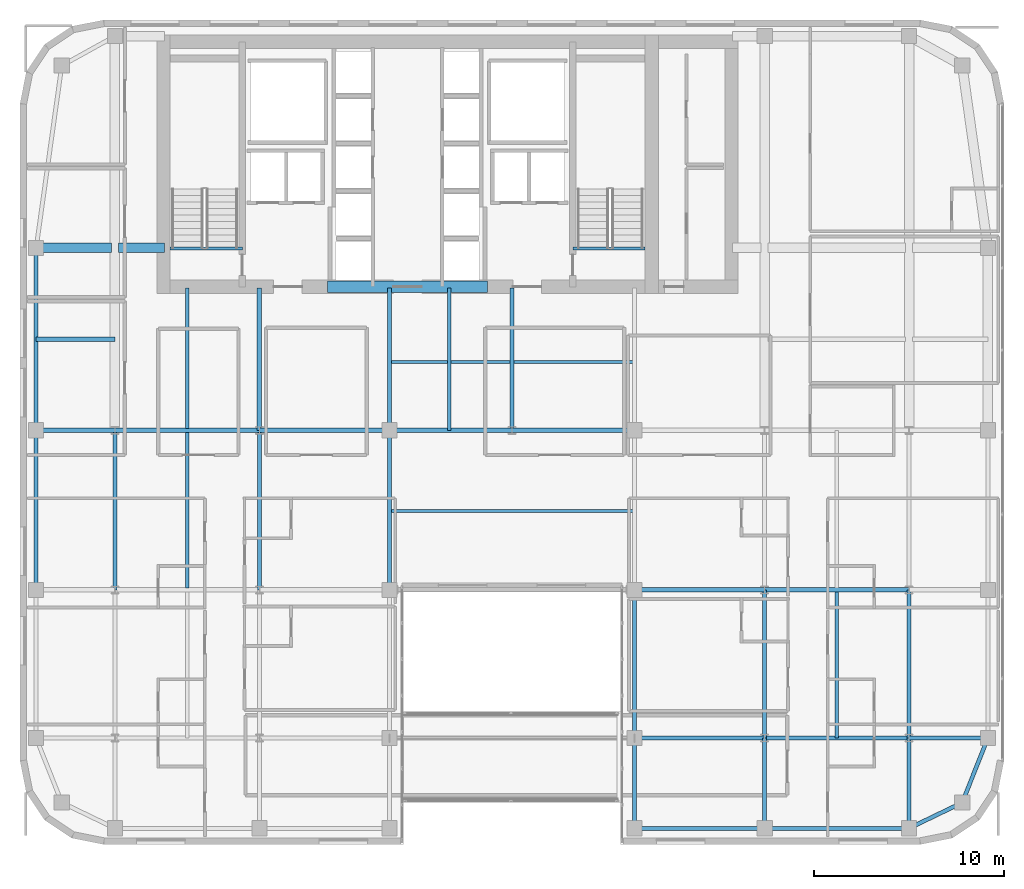
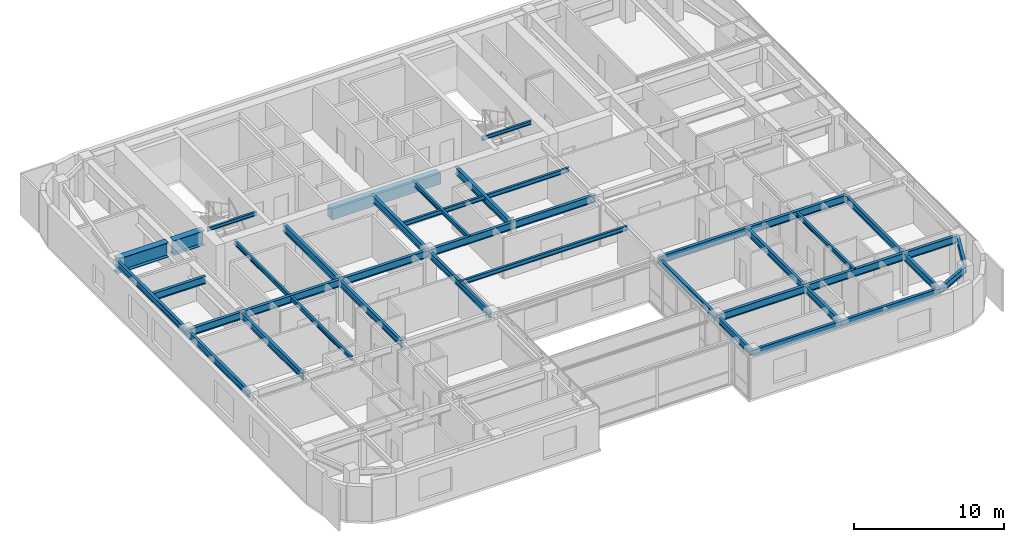
# One storey, part 5 of 20: 40 beams.
"""IFC4 building model written with IfcOpenShell, lengths in metres."""

import ifcopenshell
import ifcopenshell.guid

model = None  # the IFC model being written
_history = None  # IfcOwnerHistory: only IFC2X3 demands one
_inside = {}  # id of a spatial element -> (the spatial element, [elements in it])
_under = {}  # id of a project, library or spatial element -> (it, [spatial elements below it])
_declared = {}  # id of a project -> (the project, [libraries it declares])
_typed = {}  # id of a type object -> (the type object, [elements of that type])
_made_of = {}  # id of a material, layer set ... -> (it, [elements and type objects made of it])


def new_model(schema):
    """Start an empty IFC model of exactly this schema.

    Asked for "IFC4X3", IfcOpenShell would pick the latest addendum, in which some entities
    have other attributes; the version numbers below select the first issue.
    IFC2X3 requires an IfcOwnerHistory on every rooted entity: one is made here for all.
    """
    global model, _history
    if schema == "IFC4X3":
        model = ifcopenshell.file(schema_version=(4, 3, 0, 0))
    else:
        model = ifcopenshell.file(schema=schema)
    _inside.clear()
    _under.clear()
    _declared.clear()
    _typed.clear()
    _made_of.clear()
    _history = None
    if model.schema == "IFC2X3":
        org = make("IfcOrganization", Name="unknown")
        user = make(
            "IfcPersonAndOrganization",
            ThePerson=make("IfcPerson", FamilyName="unknown"),
            TheOrganization=org,
        )
        app = make(
            "IfcApplication",
            ApplicationDeveloper=org,
            Version="unknown",
            ApplicationFullName="unknown",
            ApplicationIdentifier="unknown",
        )
        _history = make(
            "IfcOwnerHistory",
            OwningUser=user,
            OwningApplication=app,
            ChangeAction="ADDED",
            CreationDate=0,
        )
    return model


def make(cls, **values):
    """One entity of the class cls with the attributes given. An attribute that is None is left unset."""
    return model.create_entity(
        cls, **{name: value for name, value in values.items() if value is not None}
    )


def rooted(cls, **values):
    """An entity with a GlobalId (a new one), such as an element, a storey or a relation."""
    return make(cls, GlobalId=ifcopenshell.guid.new(), OwnerHistory=_history, **values)


def si_unit(unit_type, name, prefix=None):
    """IfcSIUnit, for example si_unit("LENGTHUNIT", "METRE", prefix="MILLI")."""
    return make("IfcSIUnit", UnitType=unit_type, Prefix=prefix, Name=name)


def assignment(units):
    """IfcUnitAssignment: the units of a project."""
    return None if units is None else make("IfcUnitAssignment", Units=units)


def point(xyz):
    """IfcCartesianPoint."""
    return None if xyz is None else make("IfcCartesianPoint", Coordinates=xyz)


def direction(xyz):
    """IfcDirection."""
    return None if xyz is None else make("IfcDirection", DirectionRatios=xyz)


def frame(location, z_axis=None, x_axis=None):
    """IfcAxis2Placement3D, a coordinate frame: its origin and axes. An axis left out is left unset."""
    return make(
        "IfcAxis2Placement3D",
        Location=point(location),
        Axis=direction(z_axis),
        RefDirection=direction(x_axis),
    )


def frame_2d(location, x_axis=None):
    """IfcAxis2Placement2D, a coordinate frame in the plane: its origin and x axis."""
    return make(
        "IfcAxis2Placement2D", Location=point(location), RefDirection=direction(x_axis)
    )


def origin():
    """The frame at (0, 0, 0) with its axes left unset."""
    return frame((0.0, 0.0, 0.0))


def origin_2d():
    """The frame at (0, 0) in the plane with its x axis left unset."""
    return frame_2d((0.0, 0.0))


def place(relative_to, where):
    """IfcLocalPlacement: puts the frame where relative to a parent placement (None: the world)."""
    return make(
        "IfcLocalPlacement", PlacementRelTo=relative_to, RelativePlacement=where
    )


def context(
    kind, dimensions, precision=None, world=None, true_north=None, identifier=None
):
    """IfcGeometricRepresentationContext, for example the 3D "Model" context."""
    return make(
        "IfcGeometricRepresentationContext",
        ContextIdentifier=identifier,
        ContextType=kind,
        CoordinateSpaceDimension=dimensions,
        Precision=precision,
        WorldCoordinateSystem=world,
        TrueNorth=true_north,
    )


def subcontext(parent, identifier, kind, view, scale=None):
    """IfcGeometricRepresentationSubContext, for example "Body" below "Model"."""
    return make(
        "IfcGeometricRepresentationSubContext",
        ContextIdentifier=identifier,
        ContextType=kind,
        ParentContext=parent,
        TargetScale=scale,
        TargetView=view,
    )


def project(units=None, contexts=None):
    """IfcProject with its units and contexts."""
    return rooted(
        "IfcProject",
        Name="project",
        RepresentationContexts=contexts,
        UnitsInContext=assignment(units),
    )


def spatial(cls, under=None, at=None, **own):
    """A site, building, storey or space (cls), placed at a placement, below another one or the project."""
    s = rooted(cls, ObjectPlacement=at, **own)
    if under is not None:
        _under.setdefault(under.id(), (under, []))[1].append(s)
    return s


def profile(cls, at=None, kind="AREA", **sizes):
    """A parametric profile (cls). Its sizes go by their IFC names, for example OverallWidth=200.0."""
    return make(cls, ProfileType=kind, Position=at, **sizes)


def rectangle(**sizes):
    """IfcRectangleProfileDef."""
    return profile("IfcRectangleProfileDef", **sizes)


def i_section(**sizes):
    """IfcIShapeProfileDef."""
    return profile("IfcIShapeProfileDef", **sizes)


def extrude(swept, where, along, depth):
    """IfcExtrudedAreaSolid: the profile swept, set in the frame where, extruded along a direction by depth."""
    return make(
        "IfcExtrudedAreaSolid",
        SweptArea=swept,
        Position=where,
        ExtrudedDirection=direction(along),
        Depth=depth,
    )


def shape(context_of_items, identifier, shape_type, items):
    """IfcShapeRepresentation: the items that make up one representation, for example the "Body"."""
    return make(
        "IfcShapeRepresentation",
        ContextOfItems=context_of_items,
        RepresentationIdentifier=identifier,
        RepresentationType=shape_type,
        Items=items,
    )


def source(mapping_origin, context_of_items, identifier, shape_type, items):
    """IfcRepresentationMap: a shape defined once, which mapped items show again and again."""
    return make(
        "IfcRepresentationMap",
        MappingOrigin=mapping_origin,
        MappedRepresentation=shape(context_of_items, identifier, shape_type, items),
    )


def transform(
    local_origin,
    x_axis=None,
    y_axis=None,
    z_axis=None,
    scale=None,
    scale2=None,
    scale3=None,
    uniform=True,
):
    """IfcCartesianTransformationOperator3D, or its non-uniform kind. x_axis, y_axis, z_axis: its Axis1, 2, 3."""
    if uniform:
        return make(
            "IfcCartesianTransformationOperator3D",
            Axis1=direction(x_axis),
            Axis2=direction(y_axis),
            LocalOrigin=point(local_origin),
            Scale=scale,
            Axis3=direction(z_axis),
        )
    return make(
        "IfcCartesianTransformationOperator3DnonUniform",
        Axis1=direction(x_axis),
        Axis2=direction(y_axis),
        LocalOrigin=point(local_origin),
        Scale=scale,
        Axis3=direction(z_axis),
        Scale2=scale2,
        Scale3=scale3,
    )


def mapped(mapping_source, mapping_target):
    """IfcMappedItem: shows the shape of a source again, moved by a transform."""
    return make(
        "IfcMappedItem", MappingSource=mapping_source, MappingTarget=mapping_target
    )


def material(Name=None, Category=None):
    """IfcMaterial."""
    return make("IfcMaterial", Name=Name, Category=Category)


def material_profile(
    of_material, cross_section, Name=None, Category=None, Priority=None
):
    """IfcMaterialProfile: a cross section and its material."""
    return make(
        "IfcMaterialProfile",
        Name=Name,
        Material=of_material,
        Profile=cross_section,
        Priority=Priority,
        Category=Category,
    )


def profile_set(profiles, Name=None, composite=None):
    """IfcMaterialProfileSet."""
    return make(
        "IfcMaterialProfileSet",
        Name=Name,
        MaterialProfiles=profiles,
        CompositeProfile=composite,
    )


def made_of(thing, what):
    """Note that an element or type object is made of a material, layer set ...; save() writes the relation."""
    if what is not None:
        _made_of.setdefault(what.id(), (what, []))[1].append(thing)
    return thing


def type_object(cls, material=None, **own):
    """A type object (cls), such as IfcWallType, which elements share."""
    return made_of(rooted(cls, **own), material)


def type_shapes(of_type, sources):
    """Give a type object the sources (RepresentationMaps) that its elements show as mapped items."""
    of_type.RepresentationMaps = sources


def element(
    cls,
    number,
    at=None,
    inside=None,
    cuts=None,
    type_object=None,
    material=None,
    context=None,
    identifier="Body",
    shape_type=None,
    held_by="IfcProductDefinitionShape",
    body=None,
    shapes=None,
    **own,
):
    """One element of the class cls, such as IfcWall. Its Tag is "e" and its number.

    at: its placement. inside: the storey or other place that contains it. cuts: it is an
    opening in that element (IfcRelVoidsElement). A single representation is given by context,
    identifier, shape_type and body (its items); several are given by shapes. held_by: the class
    of the entity that holds the representations. save() writes the other relations.
    """
    e = rooted(cls, Tag="e%d" % number, ObjectPlacement=at, **own)
    if body is not None:
        shapes = [shape(context, identifier, shape_type, body)]
    if shapes is not None:
        e.Representation = make(held_by, Representations=shapes)
    if inside is not None:
        _inside.setdefault(inside.id(), (inside, []))[1].append(e)
    if cuts is not None:
        rooted(
            "IfcRelVoidsElement", RelatingBuildingElement=cuts, RelatedOpeningElement=e
        )
    if type_object is not None:
        _typed.setdefault(type_object.id(), (type_object, []))[1].append(e)
    return made_of(e, material)


def aggregate(whole, parts):
    """IfcRelAggregates: a whole, such as a stair, and the parts it consists of."""
    return rooted("IfcRelAggregates", RelatingObject=whole, RelatedObjects=parts)


def save(model, path):
    """Write the relations noted so far, then the file.

    IfcRelAggregates (storeys below a building ...), IfcRelContainedInSpatialStructure (elements
    in a storey), IfcRelDefinesByType, IfcRelAssociatesMaterial and IfcRelDeclares: one each for
    every whole, place, type object, material and project.
    """
    for whole, parts in _under.values():
        aggregate(whole, parts)
    for where, things in _inside.values():
        rooted(
            "IfcRelContainedInSpatialStructure",
            RelatedElements=things,
            RelatingStructure=where,
        )
    for kind, things in _typed.values():
        rooted("IfcRelDefinesByType", RelatedObjects=things, RelatingType=kind)
    for what, things in _made_of.values():
        rooted("IfcRelAssociatesMaterial", RelatedObjects=things, RelatingMaterial=what)
    for by, libraries in _declared.values():
        rooted("IfcRelDeclares", RelatingContext=by, RelatedDefinitions=libraries)
    model.write(path)


model = new_model("IFC4")

# Units and contexts
model_context = context("Model", 3, precision=1e-05, world=origin(), true_north=direction((0.0, 1.0)))
body_context = subcontext(model_context, "Body", "Model", "MODEL_VIEW")
ifc_project = project(units=[si_unit("LENGTHUNIT", "METRE"), si_unit("AREAUNIT", "SQUARE_METRE"), si_unit("VOLUMEUNIT", "CUBIC_METRE"), si_unit("PLANEANGLEUNIT", "RADIAN"), si_unit("MASSUNIT", "GRAM", prefix="KILO")], contexts=[model_context])

# Site, building, storey
site_placement = place(None, origin())
site = spatial("IfcSite", under=ifc_project, at=site_placement, CompositionType="ELEMENT")
building_placement = place(site_placement, origin())
building = spatial("IfcBuilding", under=site, at=building_placement, Name="Tolvann Quenvar Hotel", CompositionType="ELEMENT")
storey_placement = place(building_placement, frame((0.0, 0.0, 171.89990234375)))
storey = spatial("IfcBuildingStorey", under=building, at=storey_placement, Name="L45", CompositionType="ELEMENT", Elevation=171.89990234375)

# Beams
ifc_material_1 = material(Name="Concrete N50 (50 MPa)", Category="concrete")
ifc_material_profile_1 = material_profile(ifc_material_1, rectangle(XDim=0.60009765625, YDim=0.89990234375, at=origin_2d()), Name="RC600x900")
ifc_profile_set_1 = profile_set([ifc_material_profile_1], Name="Concrete N50 (50 MPa)")
beam_type_1 = type_object("IfcBeamType", Name="BM_LINT_RC600x900", PredefinedType="LINTEL", material=ifc_profile_set_1)
shared_shape_1 = source(origin(), body_context, "Body", "SweptSolid", [
    extrude(rectangle(XDim=0.60009765625, YDim=0.89990234375, at=origin_2d()), origin(), (0.0, 0.0, 1.0), 8.39990234375),
])
type_shapes(beam_type_1, [shared_shape_1])
beam_1_placement = place(storey_placement, frame((18.800048828125, 31.949951171875, 2.920166015625), z_axis=(1.0, 0.0, 0.0), x_axis=(0.0, 1.0, 0.0)))
element("IfcBeam", 1, at=beam_1_placement, inside=storey, type_object=beam_type_1, Name="Core Coupling Lintel Beam (L45)", PredefinedType="LINTEL", context=body_context, shape_type="MappedRepresentation", body=[
    mapped(shared_shape_1, transform((0.0, 0.0, 0.0), x_axis=(1.0, 0.0, 0.0), y_axis=(0.0, 1.0, 0.0), z_axis=(0.0, 0.0, 1.0), scale=1.0)),
])
ifc_material_2 = material(Name="Steel Grade 350", Category="steel")
ifc_material_profile_2 = material_profile(ifc_material_2, i_section(OverallWidth=0.208984375, OverallDepth=0.528076171875, WebThickness=0.009521484375, FlangeThickness=0.01318359375, FilletRadius=0.013916015625, at=origin_2d()), Name="530UB82")
ifc_profile_set_2 = profile_set([ifc_material_profile_2], Name="Steel Grade 350")
beam_type_2 = type_object("IfcBeamType", Name="BM_SPAND_530UB82", PredefinedType="SPANDREL", material=ifc_profile_set_2)
shared_shape_2 = source(origin(), body_context, "Body", "SweptSolid", [
    extrude(i_section(OverallWidth=0.208984375, OverallDepth=0.528076171875, WebThickness=0.009521484375, FlangeThickness=0.01318359375, FilletRadius=0.013916015625, at=origin_2d()), origin(), (0.0, 0.0, 1.0), 7.599853515625),
])
beam_2_placement = place(storey_placement, frame((41.800048828125, 3.449951171875, 3.106201171875), z_axis=(1.0, 0.0, 0.0), x_axis=(0.0, 1.0, 0.0)))
element("IfcBeam", 2, at=beam_2_placement, inside=storey, type_object=beam_type_2, Name="BM-L45-EW-2-H2-I2", PredefinedType="SPANDREL", context=body_context, shape_type="MappedRepresentation", body=[
    mapped(shared_shape_2, transform((0.0, 0.0, 0.0), x_axis=(1.0, 0.0, 0.0), y_axis=(0.0, 1.0, 0.0), z_axis=(0.0, 0.0, 1.0), scale=1.0)),
])
shared_shape_3 = source(origin(), body_context, "Body", "SweptSolid", [
    extrude(i_section(OverallWidth=0.208984375, OverallDepth=0.528076171875, WebThickness=0.009521484375, FlangeThickness=0.01318359375, FilletRadius=0.013916015625, at=origin_2d()), origin(), (0.0, 0.0, 1.0), 6.85009765625),
])
beam_3_placement = place(storey_placement, frame((34.949951171875, 3.449951171875, 3.106201171875), z_axis=(1.0, 0.0, 0.0), x_axis=(0.0, 1.0, 0.0)))
element("IfcBeam", 3, at=beam_3_placement, inside=storey, type_object=beam_type_2, Name="BM-L45-EW-2-F2-H2", PredefinedType="SPANDREL", context=body_context, shape_type="MappedRepresentation", body=[
    mapped(shared_shape_3, transform((0.0, 0.0, 0.0), x_axis=(1.0, 0.0, 0.0), y_axis=(0.0, 1.0, 0.0), z_axis=(0.0, 0.0, 1.0), scale=1.0)),
])
shared_shape_4 = source(origin(), body_context, "Body", "SweptSolid", [
    extrude(i_section(OverallWidth=0.208984375, OverallDepth=0.528076171875, WebThickness=0.009521484375, FlangeThickness=0.01318359375, FilletRadius=0.013916015625, at=origin_2d()), origin(), (0.0, 0.0, 1.0), 8.39990234375),
])
beam_4_placement = place(storey_placement, frame((3.449951171875, 16.0, 3.106201171875), z_axis=(0.0, 1.0, 0.0), x_axis=(-1.0, 0.0, 0.0)))
element("IfcBeam", 4, at=beam_4_placement, inside=storey, type_object=beam_type_2, Name="BM-L45-NS-B4-B5", PredefinedType="SPANDREL", context=body_context, shape_type="MappedRepresentation", body=[
    mapped(shared_shape_4, transform((0.0, 0.0, 0.0), x_axis=(1.0, 0.0, 0.0), y_axis=(0.0, 1.0, 0.0), z_axis=(0.0, 0.0, 1.0), scale=1.0)),
])
ifc_material_profile_3 = material_profile(ifc_material_2, i_section(OverallWidth=0.208984375, OverallDepth=0.532958984375, WebThickness=0.01025390625, FlangeThickness=0.015625, FilletRadius=0.013916015625, at=origin_2d()), Name="530UB92")
ifc_profile_set_3 = profile_set([ifc_material_profile_3], Name="Steel Grade 350")
beam_type_3 = type_object("IfcBeamType", Name="BM_GIRD_530UB92", PredefinedType="BEAM", material=ifc_profile_set_3)
shared_shape_5 = source(origin(), body_context, "Body", "SweptSolid", [
    extrude(i_section(OverallWidth=0.208984375, OverallDepth=0.532958984375, WebThickness=0.01025390625, FlangeThickness=0.015625, FilletRadius=0.013916015625, at=origin_2d()), origin(), (0.0, 0.0, 1.0), 7.800048828125),
])
for number, where, z_axis, x_axis, name in (
    (5, (34.949951171875, 8.199951171875, 3.103515625), (0.0, 1.0, 0.0), (-1.0, 0.0, 0.0), "BM-L45-NS-F3-F4"),
    (6, (41.800048828125, 8.199951171875, 3.103515625), (0.0, 1.0, 0.0), (-1.0, 0.0, 0.0), "BM-L45-NS-H3-H4"),
    (7, (49.39990234375, 8.199951171875, 3.103515625), (0.0, 1.0, 0.0), (-1.0, 0.0, 0.0), "BM-L45-NS-I3-I4"),
):
    element("IfcBeam", number, at=place(storey_placement, frame(where, z_axis=z_axis, x_axis=x_axis)), inside=storey, type_object=beam_type_3, Name=name, PredefinedType="BEAM", context=body_context, shape_type="MappedRepresentation", body=[
        mapped(shared_shape_5, transform((0.0, 0.0, 0.0), x_axis=(1.0, 0.0, 0.0), y_axis=(0.0, 1.0, 0.0), z_axis=(0.0, 0.0, 1.0), scale=1.0)),
    ])
shared_shape_6 = source(origin(), body_context, "Body", "SweptSolid", [
    extrude(i_section(OverallWidth=0.208984375, OverallDepth=0.532958984375, WebThickness=0.01025390625, FlangeThickness=0.015625, FilletRadius=0.013916015625, at=origin_2d()), origin(), (0.0, 0.0, 1.0), 8.39990234375),
])
for number, where, z_axis, x_axis, name in (
    (8, (7.60009765625, 16.0, 3.103515625), (0.0, 1.0, 0.0), (-1.0, 0.0, 0.0), "BM-L45-NS-C4-C5"),
    (9, (15.199951171875, 16.0, 3.103515625), (0.0, 1.0, 0.0), (-1.0, 0.0, 0.0), "BM-L45-NS-D4-D5"),
    (10, (22.050048828125, 16.0, 3.103515625), (0.0, 1.0, 0.0), (-1.0, 0.0, 0.0), "BM-L45-NS-E4-E5"),
):
    element("IfcBeam", number, at=place(storey_placement, frame(where, z_axis=z_axis, x_axis=x_axis)), inside=storey, type_object=beam_type_3, Name=name, PredefinedType="BEAM", context=body_context, shape_type="MappedRepresentation", body=[
        mapped(shared_shape_6, transform((0.0, 0.0, 0.0), x_axis=(1.0, 0.0, 0.0), y_axis=(0.0, 1.0, 0.0), z_axis=(0.0, 0.0, 1.0), scale=1.0)),
    ])
shared_shape_7 = source(origin(), body_context, "Body", "SweptSolid", [
    extrude(i_section(OverallWidth=0.208984375, OverallDepth=0.528076171875, WebThickness=0.009521484375, FlangeThickness=0.01318359375, FilletRadius=0.013916015625, at=origin_2d()), origin(), (0.0, 0.0, 1.0), 9.60009765625),
])
beam_5_placement = place(storey_placement, frame((3.449951171875, 24.39990234375, 3.106201171875), z_axis=(0.0, 1.0, 0.0), x_axis=(-1.0, 0.0, 0.0)))
element("IfcBeam", 11, at=beam_5_placement, inside=storey, type_object=beam_type_2, Name="BM-L45-FLK-W1", PredefinedType="SPANDREL", context=body_context, shape_type="MappedRepresentation", body=[
    mapped(shared_shape_7, transform((0.0, 0.0, 0.0), x_axis=(1.0, 0.0, 0.0), y_axis=(0.0, 1.0, 0.0), z_axis=(0.0, 0.0, 1.0), scale=1.0)),
])
ifc_material_profile_4 = material_profile(ifc_material_2, i_section(OverallWidth=0.5, OverallDepth=1.199951171875, WebThickness=0.01611328125, FlangeThickness=0.0400390625, at=origin_2d()), Name="1200WB455")
ifc_profile_set_4 = profile_set([ifc_material_profile_4], Name="Steel Grade 350")
beam_type_4 = type_object("IfcBeamType", Name="BM_TG_1200WB455", PredefinedType="USERDEFINED", material=ifc_profile_set_4)
shared_shape_8 = source(origin(), body_context, "Body", "SweptSolid", [
    extrude(i_section(OverallWidth=0.5, OverallDepth=1.199951171875, WebThickness=0.01611328125, FlangeThickness=0.0400390625, at=origin_2d()), origin(), (0.0, 0.0, 1.0), 2.419921875),
])
beam_6_placement = place(storey_placement, frame((7.780029296875, 34.0, 2.77001953125), z_axis=(1.0, 0.0, 0.0), x_axis=(0.0, 1.0, 0.0)))
element("IfcBeam", 12, at=beam_6_placement, inside=storey, type_object=beam_type_4, Name="BM-L45-CTW-MID2", ObjectType="TRANSFER GIRDER", PredefinedType="USERDEFINED", context=body_context, shape_type="MappedRepresentation", body=[
    mapped(shared_shape_8, transform((0.0, 0.0, 0.0), x_axis=(1.0, 0.0, 0.0), y_axis=(0.0, 1.0, 0.0), z_axis=(0.0, 0.0, 1.0), scale=1.0)),
])
ifc_material_profile_5 = material_profile(ifc_material_2, i_section(OverallWidth=0.166015625, OverallDepth=0.306884765625, WebThickness=0.006591796875, FlangeThickness=0.01171875, FilletRadius=0.011474609375, at=origin_2d()), Name="310UB46")
ifc_profile_set_5 = profile_set([ifc_material_profile_5], Name="Steel Grade 350")
beam_type_5 = type_object("IfcBeamType", Name="BM_JOIST_310UB46", PredefinedType="JOIST", material=ifc_profile_set_5)
shared_shape_9 = source(origin(), body_context, "Body", "SweptSolid", [
    extrude(i_section(OverallWidth=0.166015625, OverallDepth=0.306884765625, WebThickness=0.006591796875, FlangeThickness=0.01171875, FilletRadius=0.011474609375, at=origin_2d()), origin(), (0.0, 0.0, 1.0), 3.800048828125),
])
type_shapes(beam_type_5, [shared_shape_9])
for number, where, z_axis, x_axis, name in (
    (13, (10.5, 33.97998046875, 3.216552734375), (1.0, 0.0, 0.0), (0.0, 1.0, 0.0), "BM-HDR-STC1-L46"),
    (14, (31.699951171875, 33.97998046875, 3.216552734375), (1.0, 0.0, 0.0), (0.0, 1.0, 0.0), "BM-HDR-STC2-L46"),
):
    element("IfcBeam", number, at=place(storey_placement, frame(where, z_axis=z_axis, x_axis=x_axis)), inside=storey, type_object=beam_type_5, Name=name, PredefinedType="JOIST", context=body_context, shape_type="MappedRepresentation", body=[
        mapped(shared_shape_9, transform((0.0, 0.0, 0.0), x_axis=(1.0, 0.0, 0.0), y_axis=(0.0, 1.0, 0.0), z_axis=(0.0, 0.0, 1.0), scale=1.0)),
    ])
shared_shape_10 = source(origin(), body_context, "Body", "SweptSolid", [
    extrude(i_section(OverallWidth=0.5, OverallDepth=1.199951171875, WebThickness=0.01611328125, FlangeThickness=0.0400390625, at=origin_2d()), origin(), (0.0, 0.0, 1.0), 3.969970703125),
])
type_shapes(beam_type_4, [shared_shape_8, shared_shape_10])
beam_7_placement = place(storey_placement, frame((3.449951171875, 34.0, 2.77001953125), z_axis=(1.0, 0.0, 0.0), x_axis=(0.0, 1.0, 0.0)))
element("IfcBeam", 15, at=beam_7_placement, inside=storey, type_object=beam_type_4, Name="BM-L45-CTW-MID1", ObjectType="TRANSFER GIRDER", PredefinedType="USERDEFINED", context=body_context, shape_type="MappedRepresentation", body=[
    mapped(shared_shape_10, transform((0.0, 0.0, 0.0), x_axis=(1.0, 0.0, 0.0), y_axis=(0.0, 1.0, 0.0), z_axis=(0.0, 0.0, 1.0), scale=1.0)),
])
ifc_material_profile_6 = material_profile(ifc_material_2, i_section(OverallWidth=0.172119140625, OverallDepth=0.35888671875, WebThickness=0.008056640625, FlangeThickness=0.012939453125, FilletRadius=0.011474609375, at=origin_2d()), Name="360UB57")
ifc_profile_set_6 = profile_set([ifc_material_profile_6], Name="Steel Grade 350")
beam_type_6 = type_object("IfcBeamType", Name="BM_JOIST_360UB57", PredefinedType="JOIST", material=ifc_profile_set_6)
shared_shape_11 = source(origin(), body_context, "Body", "SweptSolid", [
    extrude(i_section(OverallWidth=0.172119140625, OverallDepth=0.35888671875, WebThickness=0.008056640625, FlangeThickness=0.012939453125, FilletRadius=0.011474609375, at=origin_2d()), origin(), (0.0, 0.0, 1.0), 12.89990234375),
])
for number, where, z_axis, x_axis, name in (
    (16, (22.050048828125, 20.14990234375, 3.190673828125), (1.0, 0.0, 0.0), (0.0, 1.0, 0.0), "BM-L45-SPINE-20"),
    (17, (22.050048828125, 28.0, 3.190673828125), (1.0, 0.0, 0.0), (0.0, 1.0, 0.0), "BM-L45-SPINE-28"),
):
    element("IfcBeam", number, at=place(storey_placement, frame(where, z_axis=z_axis, x_axis=x_axis)), inside=storey, type_object=beam_type_6, Name=name, PredefinedType="JOIST", context=body_context, shape_type="MappedRepresentation", body=[
        mapped(shared_shape_11, transform((0.0, 0.0, 0.0), x_axis=(1.0, 0.0, 0.0), y_axis=(0.0, 1.0, 0.0), z_axis=(0.0, 0.0, 1.0), scale=1.0)),
    ])
shared_shape_12 = source(origin(), body_context, "Body", "SweptSolid", [
    extrude(i_section(OverallWidth=0.172119140625, OverallDepth=0.35888671875, WebThickness=0.008056640625, FlangeThickness=0.012939453125, FilletRadius=0.011474609375, at=origin_2d()), origin(), (0.0, 0.0, 1.0), 7.5),
])
beam_8_placement = place(storey_placement, frame((25.199951171875, 24.39990234375, 3.190673828125), z_axis=(0.0, 1.0, 0.0), x_axis=(-1.0, 0.0, 0.0)))
element("IfcBeam", 18, at=beam_8_placement, inside=storey, type_object=beam_type_6, Name="BJ-L45-252-244", PredefinedType="JOIST", context=body_context, shape_type="MappedRepresentation", body=[
    mapped(shared_shape_12, transform((0.0, 0.0, 0.0), x_axis=(1.0, 0.0, 0.0), y_axis=(0.0, 1.0, 0.0), z_axis=(0.0, 0.0, 1.0), scale=1.0)),
])
shared_shape_13 = source(origin(), body_context, "Body", "SweptSolid", [
    extrude(i_section(OverallWidth=0.208984375, OverallDepth=0.528076171875, WebThickness=0.009521484375, FlangeThickness=0.01318359375, FilletRadius=0.013916015625, at=origin_2d()), origin(), (0.0, 0.0, 1.0), 3.108642578125),
])
beam_9_placement = place(storey_placement, frame((49.39990234375, 3.449951171875, 3.106201171875), z_axis=(0.900759354066, 0.434318530646, 0.0), x_axis=(-0.434318530646, 0.900759354066, 0.0)))
element("IfcBeam", 19, at=beam_9_placement, inside=storey, type_object=beam_type_2, Name="BM-L45-EW-2-I2-J2", PredefinedType="SPANDREL", context=body_context, shape_type="MappedRepresentation", body=[
    mapped(shared_shape_13, transform((0.0, 0.0, 0.0), x_axis=(1.0, 0.0, 0.0), y_axis=(0.0, 1.0, 0.0), z_axis=(0.0, 0.0, 1.0), scale=1.0)),
])
ifc_material_profile_7 = material_profile(ifc_material_2, i_section(OverallWidth=0.22802734375, OverallDepth=0.60205078125, WebThickness=0.010498046875, FlangeThickness=0.014892578125, FilletRadius=0.013916015625, at=origin_2d()), Name="610UB101")
ifc_profile_set_7 = profile_set([ifc_material_profile_7], Name="Steel Grade 350")
beam_type_7 = type_object("IfcBeamType", Name="BM_GIRD_610UB101", PredefinedType="BEAM", material=ifc_profile_set_7)
shared_shape_14 = source(origin(), body_context, "Body", "SweptSolid", [
    extrude(i_section(OverallWidth=0.22802734375, OverallDepth=0.60205078125, WebThickness=0.010498046875, FlangeThickness=0.014892578125, FilletRadius=0.013916015625, at=origin_2d()), origin(), (0.0, 0.0, 1.0), 4.150146484375),
])
for number, where, z_axis, x_axis, name in (
    (20, (49.39990234375, 8.199951171875, 3.069091796875), (1.0, 0.0, 0.0), (0.0, 1.0, 0.0), "BM-L45-EW-3-I3-J3"),
    (21, (3.449951171875, 24.39990234375, 3.069091796875), (1.0, 0.0, 0.0), (0.0, 1.0, 0.0), "BM-L45-EW-5-B5-C5"),
    (22, (3.449951171875, 29.199951171875, 3.069091796875), (1.0, 0.0, 0.0), (0.0, 1.0, 0.0), "BM-L45-EW-BC29"),
):
    element("IfcBeam", number, at=place(storey_placement, frame(where, z_axis=z_axis, x_axis=x_axis)), inside=storey, type_object=beam_type_7, Name=name, PredefinedType="BEAM", context=body_context, shape_type="MappedRepresentation", body=[
        mapped(shared_shape_14, transform((0.0, 0.0, 0.0), x_axis=(1.0, 0.0, 0.0), y_axis=(0.0, 1.0, 0.0), z_axis=(0.0, 0.0, 1.0), scale=1.0)),
    ])
shared_shape_15 = source(origin(), body_context, "Body", "SweptSolid", [
    extrude(i_section(OverallWidth=0.22802734375, OverallDepth=0.60205078125, WebThickness=0.010498046875, FlangeThickness=0.014892578125, FilletRadius=0.013916015625, at=origin_2d()), origin(), (0.0, 0.0, 1.0), 7.599853515625),
])
for number, where, z_axis, x_axis, name in (
    (23, (41.800048828125, 8.199951171875, 3.069091796875), (1.0, 0.0, 0.0), (0.0, 1.0, 0.0), "BM-L45-EW-3-H3-I3"),
    (24, (41.800048828125, 16.0, 3.069091796875), (1.0, 0.0, 0.0), (0.0, 1.0, 0.0), "BM-L45-EW-4-H4-I4"),
    (25, (7.60009765625, 24.39990234375, 3.069091796875), (1.0, 0.0, 0.0), (0.0, 1.0, 0.0), "BM-L45-EW-5-C5-D5"),
):
    element("IfcBeam", number, at=place(storey_placement, frame(where, z_axis=z_axis, x_axis=x_axis)), inside=storey, type_object=beam_type_7, Name=name, PredefinedType="BEAM", context=body_context, shape_type="MappedRepresentation", body=[
        mapped(shared_shape_15, transform((0.0, 0.0, 0.0), x_axis=(1.0, 0.0, 0.0), y_axis=(0.0, 1.0, 0.0), z_axis=(0.0, 0.0, 1.0), scale=1.0)),
    ])
shared_shape_16 = source(origin(), body_context, "Body", "SweptSolid", [
    extrude(i_section(OverallWidth=0.22802734375, OverallDepth=0.60205078125, WebThickness=0.010498046875, FlangeThickness=0.014892578125, FilletRadius=0.013916015625, at=origin_2d()), origin(), (0.0, 0.0, 1.0), 6.85009765625),
])
for number, where, z_axis, x_axis, name in (
    (26, (34.949951171875, 8.199951171875, 3.069091796875), (1.0, 0.0, 0.0), (0.0, 1.0, 0.0), "BM-L45-EW-3-F3-H3"),
    (27, (34.949951171875, 16.0, 3.069091796875), (1.0, 0.0, 0.0), (0.0, 1.0, 0.0), "BM-L45-EW-4-F4-H4"),
    (28, (15.199951171875, 24.39990234375, 3.069091796875), (1.0, 0.0, 0.0), (0.0, 1.0, 0.0), "BM-L45-EW-5-D5-E5"),
):
    element("IfcBeam", number, at=place(storey_placement, frame(where, z_axis=z_axis, x_axis=x_axis)), inside=storey, type_object=beam_type_7, Name=name, PredefinedType="BEAM", context=body_context, shape_type="MappedRepresentation", body=[
        mapped(shared_shape_16, transform((0.0, 0.0, 0.0), x_axis=(1.0, 0.0, 0.0), y_axis=(0.0, 1.0, 0.0), z_axis=(0.0, 0.0, 1.0), scale=1.0)),
    ])
shared_shape_17 = source(origin(), body_context, "Body", "SweptSolid", [
    extrude(i_section(OverallWidth=0.22802734375, OverallDepth=0.60205078125, WebThickness=0.010498046875, FlangeThickness=0.014892578125, FilletRadius=0.013916015625, at=origin_2d()), origin(), (0.0, 0.0, 1.0), 6.449951171875),
])
for number, where, z_axis, x_axis, name in (
    (29, (22.050048828125, 24.39990234375, 3.069091796875), (1.0, 0.0, 0.0), (0.0, 1.0, 0.0), "BM-L45-EW-5-E5-M5"),
    (30, (28.5, 24.39990234375, 3.069091796875), (1.0, 0.0, 0.0), (0.0, 1.0, 0.0), "BM-L45-EW-5-M5-F5"),
):
    element("IfcBeam", number, at=place(storey_placement, frame(where, z_axis=z_axis, x_axis=x_axis)), inside=storey, type_object=beam_type_7, Name=name, PredefinedType="BEAM", context=body_context, shape_type="MappedRepresentation", body=[
        mapped(shared_shape_17, transform((0.0, 0.0, 0.0), x_axis=(1.0, 0.0, 0.0), y_axis=(0.0, 1.0, 0.0), z_axis=(0.0, 0.0, 1.0), scale=1.0)),
    ])
shared_shape_18 = source(origin(), body_context, "Body", "SweptSolid", [
    extrude(i_section(OverallWidth=0.208984375, OverallDepth=0.528076171875, WebThickness=0.009521484375, FlangeThickness=0.01318359375, FilletRadius=0.013916015625, at=origin_2d()), origin(), (0.0, 0.0, 1.0), 3.658203125),
])
type_shapes(beam_type_2, [shared_shape_2, shared_shape_3, shared_shape_4, shared_shape_7, shared_shape_13, shared_shape_18])
beam_10_placement = place(storey_placement, frame((52.199951171875, 4.800048828125, 3.106201171875), z_axis=(0.369065163807, 0.929403521009, 0.0), x_axis=(-0.929403521009, 0.369065163807, 0.0)))
element("IfcBeam", 31, at=beam_10_placement, inside=storey, type_object=beam_type_2, Name="BM-L45-NS-J2-J3", PredefinedType="SPANDREL", context=body_context, shape_type="MappedRepresentation", body=[
    mapped(shared_shape_18, transform((0.0, 0.0, 0.0), x_axis=(1.0, 0.0, 0.0), y_axis=(0.0, 1.0, 0.0), z_axis=(0.0, 0.0, 1.0), scale=1.0)),
])
shared_shape_19 = source(origin(), body_context, "Body", "SweptSolid", [
    extrude(i_section(OverallWidth=0.208984375, OverallDepth=0.532958984375, WebThickness=0.01025390625, FlangeThickness=0.015625, FilletRadius=0.013916015625, at=origin_2d()), origin(), (0.0, 0.0, 1.0), 4.75),
])
type_shapes(beam_type_3, [shared_shape_5, shared_shape_6, shared_shape_19])
for number, where, z_axis, x_axis, name in (
    (32, (34.949951171875, 3.449951171875, 3.103515625), (0.0, 1.0, 0.0), (-1.0, 0.0, 0.0), "BM-L45-NS-F2-F3"),
    (33, (41.800048828125, 3.449951171875, 3.103515625), (0.0, 1.0, 0.0), (-1.0, 0.0, 0.0), "BM-L45-NS-H2-H3"),
    (34, (49.39990234375, 3.449951171875, 3.103515625), (0.0, 1.0, 0.0), (-1.0, 0.0, 0.0), "BM-L45-NS-I2-I3"),
):
    element("IfcBeam", number, at=place(storey_placement, frame(where, z_axis=z_axis, x_axis=x_axis)), inside=storey, type_object=beam_type_3, Name=name, PredefinedType="BEAM", context=body_context, shape_type="MappedRepresentation", body=[
        mapped(shared_shape_19, transform((0.0, 0.0, 0.0), x_axis=(1.0, 0.0, 0.0), y_axis=(0.0, 1.0, 0.0), z_axis=(0.0, 0.0, 1.0), scale=1.0)),
    ])
shared_shape_20 = source(origin(), body_context, "Body", "SweptSolid", [
    extrude(i_section(OverallWidth=0.22802734375, OverallDepth=0.60205078125, WebThickness=0.010498046875, FlangeThickness=0.014892578125, FilletRadius=0.013916015625, at=origin_2d()), origin(), (0.0, 0.0, 1.0), 7.5),
])
type_shapes(beam_type_7, [shared_shape_14, shared_shape_15, shared_shape_16, shared_shape_17, shared_shape_20])
for number, where, z_axis, x_axis, name in (
    (35, (15.199951171875, 24.39990234375, 3.069091796875), (0.0, 1.0, 0.0), (-1.0, 0.0, 0.0), "BM-L45-CORE-D5"),
    (36, (22.050048828125, 24.39990234375, 3.069091796875), (0.0, 1.0, 0.0), (-1.0, 0.0, 0.0), "BM-L45-CORE-E5"),
    (37, (28.5, 24.39990234375, 3.069091796875), (0.0, 1.0, 0.0), (-1.0, 0.0, 0.0), "BM-L45-CORE-M5"),
):
    element("IfcBeam", number, at=place(storey_placement, frame(where, z_axis=z_axis, x_axis=x_axis)), inside=storey, type_object=beam_type_7, Name=name, PredefinedType="BEAM", context=body_context, shape_type="MappedRepresentation", body=[
        mapped(shared_shape_20, transform((0.0, 0.0, 0.0), x_axis=(1.0, 0.0, 0.0), y_axis=(0.0, 1.0, 0.0), z_axis=(0.0, 0.0, 1.0), scale=1.0)),
    ])
shared_shape_21 = source(origin(), body_context, "Body", "SweptSolid", [
    extrude(i_section(OverallWidth=0.172119140625, OverallDepth=0.35888671875, WebThickness=0.008056640625, FlangeThickness=0.012939453125, FilletRadius=0.011474609375, at=origin_2d()), origin(), (0.0, 0.0, 1.0), 7.692138671875),
])
beam_11_placement = place(storey_placement, frame((45.60009765625, 8.199951171875, 3.190673828125), z_axis=(0.0, 1.0, 0.0), x_axis=(-1.0, 0.0, 0.0)))
element("IfcBeam", 38, at=beam_11_placement, inside=storey, type_object=beam_type_6, Name="BJ-L45-456-82", PredefinedType="JOIST", context=body_context, shape_type="MappedRepresentation", body=[
    mapped(shared_shape_21, transform((0.0, 0.0, 0.0), x_axis=(1.0, 0.0, 0.0), y_axis=(0.0, 1.0, 0.0), z_axis=(0.0, 0.0, 1.0), scale=1.0)),
])
shared_shape_22 = source(origin(), body_context, "Body", "SweptSolid", [
    extrude(i_section(OverallWidth=0.172119140625, OverallDepth=0.35888671875, WebThickness=0.008056640625, FlangeThickness=0.012939453125, FilletRadius=0.011474609375, at=origin_2d()), origin(), (0.0, 0.0, 1.0), 8.18408203125),
])
beam_12_placement = place(storey_placement, frame((11.39990234375, 16.10791015625, 3.190673828125), z_axis=(0.0, 1.0, 0.0), x_axis=(-1.0, 0.0, 0.0)))
element("IfcBeam", 39, at=beam_12_placement, inside=storey, type_object=beam_type_6, Name="BJ-L45-114-160", PredefinedType="JOIST", context=body_context, shape_type="MappedRepresentation", body=[
    mapped(shared_shape_22, transform((0.0, 0.0, 0.0), x_axis=(1.0, 0.0, 0.0), y_axis=(0.0, 1.0, 0.0), z_axis=(0.0, 0.0, 1.0), scale=1.0)),
])
shared_shape_23 = source(origin(), body_context, "Body", "SweptSolid", [
    extrude(i_section(OverallWidth=0.172119140625, OverallDepth=0.35888671875, WebThickness=0.008056640625, FlangeThickness=0.012939453125, FilletRadius=0.011474609375, at=origin_2d()), origin(), (0.0, 0.0, 1.0), 7.391845703125),
])
type_shapes(beam_type_6, [shared_shape_11, shared_shape_12, shared_shape_21, shared_shape_22, shared_shape_23])
beam_13_placement = place(storey_placement, frame((11.39990234375, 24.508056640625, 3.190673828125), z_axis=(0.0, 1.0, 0.0), x_axis=(-1.0, 0.0, 0.0)))
element("IfcBeam", 40, at=beam_13_placement, inside=storey, type_object=beam_type_6, Name="BJ-L45-114-244", PredefinedType="JOIST", context=body_context, shape_type="MappedRepresentation", body=[
    mapped(shared_shape_23, transform((0.0, 0.0, 0.0), x_axis=(1.0, 0.0, 0.0), y_axis=(0.0, 1.0, 0.0), z_axis=(0.0, 0.0, 1.0), scale=1.0)),
])

save(model, "model.ifc")
